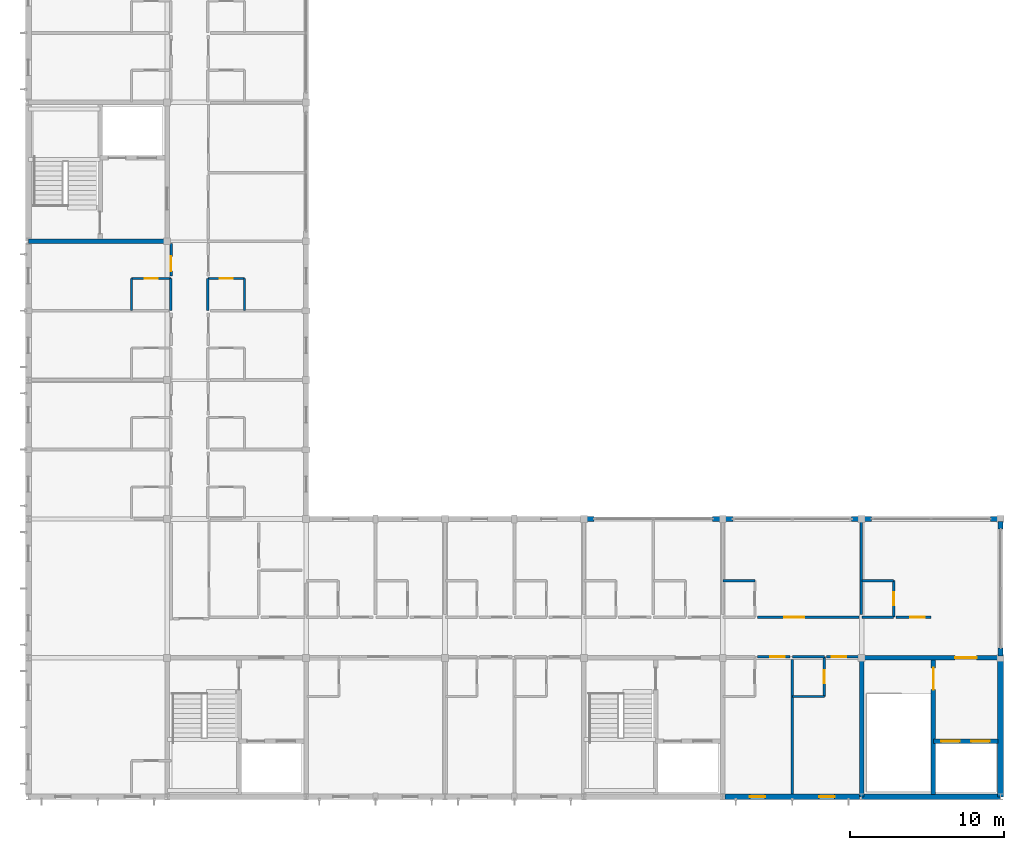
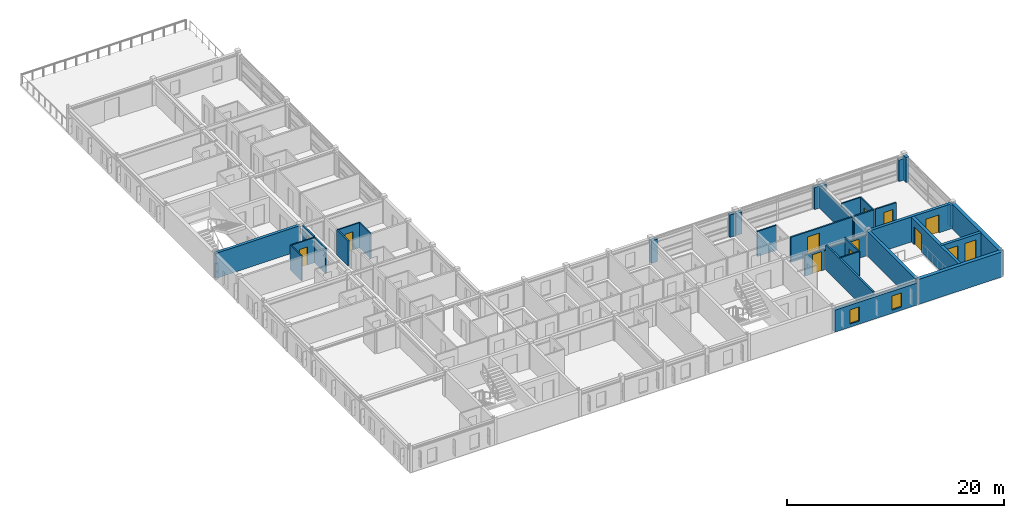
# One storey, part 12 of 20: 36 walls, 13 doors, 2 windows, 15 openings.
"""IFC4 building model written with IfcOpenShell, lengths in metres."""

from ifc_helpers import new_model, si_unit, direction, frame, frame_2d, origin, place, context, subcontext, project, spatial, rectangle, extrude, material, layer, layer_set, type_object, element, fill, save


model = new_model("IFC4")

# Units and contexts
model_context = context("Model", 3, precision=1e-05, world=origin(), true_north=direction((0.0, 1.0)))
body_context = subcontext(model_context, "Body", "Model", "MODEL_VIEW")
ifc_project = project(units=[si_unit("LENGTHUNIT", "METRE"), si_unit("AREAUNIT", "SQUARE_METRE"), si_unit("VOLUMEUNIT", "CUBIC_METRE"), si_unit("PLANEANGLEUNIT", "RADIAN"), si_unit("MASSUNIT", "GRAM", prefix="KILO")], contexts=[model_context])

# Site, building, storey
site_placement = place(None, origin())
site = spatial("IfcSite", under=ifc_project, at=site_placement, CompositionType="ELEMENT")
building_placement = place(site_placement, origin())
building = spatial("IfcBuilding", under=site, at=building_placement, Name="Palais des Congres Ocreval", CompositionType="ELEMENT")
storey_placement = place(building_placement, frame((0.0, 0.0, 20.639892578125)))
storey = spatial("IfcBuildingStorey", under=building, at=storey_placement, Name="L06", CompositionType="ELEMENT", Elevation=20.639892578125)

# Wall, opening, door
ifc_material_1 = material(Name="Moisture-resistant gypsum board")
ifc_layer_1 = layer(ifc_material_1, 0.139892578125)
ifc_layer_set_1 = layer_set([ifc_layer_1], Name="Bathroom Plumbing Chase Wall 140 Gypsum (Moisture-resistant gypsum board)")
wall_type_1 = type_object("IfcWallType", Name="Bathroom Plumbing Chase Wall 140 Gypsum", PredefinedType="PLUMBINGWALL", material=ifc_layer_set_1)
wall_1_placement = place(storey_placement, frame((51.580078125, 6.5, 0.0), z_axis=(0.0, 0.0, 1.0), x_axis=(0.0, 1.0, 0.0)))
wall_1 = element("IfcWall", 1, at=wall_1_placement, inside=storey, type_object=wall_type_1, Name="Bathroom Plumbing Wall PW03 L06", PredefinedType="PLUMBINGWALL", context=body_context, shape_type="SweptSolid", body=[
    extrude(rectangle(XDim=2.56005859375, YDim=0.139892578125, at=frame_2d((1.280029296875, 0.0))), origin(), (0.0, 0.0, 1.0), 2.820068359375),
])
opening_1_placement = place(wall_1_placement, frame((0.85498046875, 0.0, 0.0)))
opening_1 = element("IfcOpeningElement", 2, at=opening_1_placement, cuts=wall_1, Name="Opening D08", PredefinedType="OPENING", context=body_context, shape_type="SweptSolid", body=[
    extrude(rectangle(XDim=0.85009765625, YDim=2.0400390625, at=frame_2d((0.425048828125, 1.02001953125))), frame((0.0, 0.079833984375, 0.0), z_axis=(0.0, -1.0, 0.0), x_axis=(1.0, 0.0, 0.0)), (0.0, 0.0, 1.0), 0.159912109375),
])
ifc_material_2 = material(Name="Solid French oak", Category="wood")
door_type_1 = type_object("IfcDoorType", Name="En-Suite Bathroom Door 850x2040", OperationType="NOTDEFINED", PredefinedType="DOOR", material=ifc_material_2)
door_1_placement = place(opening_1_placement, origin())
door_1 = element("IfcDoor", 3, at=door_1_placement, inside=storey, type_object=door_type_1, Name="En-Suite Bathroom Door D08 L06", OperationType="SINGLE_SWING_LEFT", OverallHeight=2.0400390625, OverallWidth=0.85009765625, PredefinedType="DOOR", context=body_context, shape_type="SweptSolid", body=[
    extrude(rectangle(XDim=0.85009765625, YDim=2.0400390625, at=frame_2d((0.425048828125, 1.02001953125))), frame((0.0, 0.02490234375, 0.0), z_axis=(0.0, -1.0, 0.0), x_axis=(1.0, 0.0, 0.0)), (0.0, 0.0, 1.0), 0.050048828125),
])
fill(opening_1, door_1)

# Walls
for number, where, z_axis, x_axis, name in (
    (4, (49.52001953125, 6.5, 0.0), (0.0, 0.0, 1.0), (1.0, 0.0, 0.0), "Bathroom Plumbing Wall PW03 L06"),
    (5, (45.02001953125, 14.0, 0.0), (0.0, 0.0, 1.0), (1.0, 0.0, 0.0), "Bathroom Plumbing Wall PW03 L06"),
):
    element("IfcWall", number, at=place(storey_placement, frame(where, z_axis=z_axis, x_axis=x_axis)), inside=storey, type_object=wall_type_1, Name=name, PredefinedType="PLUMBINGWALL", context=body_context, shape_type="SweptSolid", body=[
        extrude(rectangle(XDim=2.06005859375, YDim=0.139892578125, at=frame_2d((1.030029296875, 0.0))), origin(), (0.0, 0.0, 1.0), 2.820068359375),
    ])

# Wall, opening, door
wall_2_placement = place(storey_placement, frame((56.080078125, 11.639892578125, 0.0), z_axis=(0.0, 0.0, 1.0), x_axis=(0.0, 1.0, 0.0)))
wall_2 = element("IfcWall", 6, at=wall_2_placement, inside=storey, type_object=wall_type_1, Name="Bathroom Plumbing Wall PW03 L06", PredefinedType="PLUMBINGWALL", context=body_context, shape_type="SweptSolid", body=[
    extrude(rectangle(XDim=2.360107421875, YDim=0.139892578125, at=frame_2d((1.18017578125, 0.0))), origin(), (0.0, 0.0, 1.0), 2.820068359375),
])
opening_2_placement = place(wall_2_placement, frame((0.7548828125, 0.0, 0.0)))
opening_2 = element("IfcOpeningElement", 7, at=opening_2_placement, cuts=wall_2, Name="Opening D08", PredefinedType="OPENING", context=body_context, shape_type="SweptSolid", body=[
    extrude(rectangle(XDim=0.85009765625, YDim=2.0400390625, at=frame_2d((0.425048828125, 1.02001953125))), frame((0.0, 0.079833984375, 0.0), z_axis=(0.0, -1.0, 0.0), x_axis=(1.0, 0.0, 0.0)), (0.0, 0.0, 1.0), 0.159912109375),
])
door_2_placement = place(opening_2_placement, origin())
door_2 = element("IfcDoor", 8, at=door_2_placement, inside=storey, type_object=door_type_1, Name="En-Suite Bathroom Door D08 L06", OperationType="SINGLE_SWING_LEFT", OverallHeight=2.0400390625, OverallWidth=0.85009765625, PredefinedType="DOOR", context=body_context, shape_type="SweptSolid", body=[
    extrude(rectangle(XDim=0.85009765625, YDim=2.0400390625, at=frame_2d((0.425048828125, 1.02001953125))), frame((0.0, 0.02490234375, 0.0), z_axis=(0.0, -1.0, 0.0), x_axis=(1.0, 0.0, 0.0)), (0.0, 0.0, 1.0), 0.050048828125),
])
fill(opening_2, door_2)

# Wall
wall_3_placement = place(storey_placement, frame((54.02001953125, 14.0, 0.0), z_axis=(0.0, 0.0, 1.0), x_axis=(1.0, 0.0, 0.0)))
element("IfcWall", 9, at=wall_3_placement, inside=storey, type_object=wall_type_1, Name="Bathroom Plumbing Wall PW03 L06", PredefinedType="PLUMBINGWALL", context=body_context, shape_type="SweptSolid", body=[
    extrude(rectangle(XDim=2.06005859375, YDim=0.139892578125, at=frame_2d((1.030029296875, 0.0))), origin(), (0.0, 0.0, 1.0), 2.820068359375),
])

# Wall, opening, door
wall_4_placement = place(storey_placement, frame((6.679931640625, 33.580078125, 0.0), z_axis=(0.0, 0.0, 1.0), x_axis=(1.0, 0.0, 0.0)))
wall_4 = element("IfcWall", 10, at=wall_4_placement, inside=storey, type_object=wall_type_1, Name="Bathroom Plumbing Wall PW03 L06", PredefinedType="PLUMBINGWALL", context=body_context, shape_type="SweptSolid", body=[
    extrude(rectangle(XDim=2.56005859375, YDim=0.139892578125, at=frame_2d((1.280029296875, 0.0))), origin(), (0.0, 0.0, 1.0), 2.820068359375),
])
opening_3_placement = place(wall_4_placement, frame((0.85498046875, 0.0, 0.0)))
opening_3 = element("IfcOpeningElement", 11, at=opening_3_placement, cuts=wall_4, Name="Opening D08", PredefinedType="OPENING", context=body_context, shape_type="SweptSolid", body=[
    extrude(rectangle(XDim=0.85009765625, YDim=2.0400390625, at=frame_2d((0.425048828125, 1.02001953125))), frame((0.0, 0.079833984375, 0.0), z_axis=(0.0, -1.0, 0.0), x_axis=(1.0, 0.0, 0.0)), (0.0, 0.0, 1.0), 0.159912109375),
])
door_3_placement = place(opening_3_placement, origin())
door_3 = element("IfcDoor", 12, at=door_3_placement, inside=storey, type_object=door_type_1, Name="En-Suite Bathroom Door D08 L06", OperationType="SINGLE_SWING_LEFT", OverallHeight=2.0400390625, OverallWidth=0.85009765625, PredefinedType="DOOR", context=body_context, shape_type="SweptSolid", body=[
    extrude(rectangle(XDim=0.85009765625, YDim=2.0400390625, at=frame_2d((0.425048828125, 1.02001953125))), frame((0.0, 0.02490234375, 0.0), z_axis=(0.0, -1.0, 0.0), x_axis=(1.0, 0.0, 0.0)), (0.0, 0.0, 1.0), 0.050048828125),
])
fill(opening_3, door_3)

# Wall
wall_5_placement = place(storey_placement, frame((6.679931640625, 31.52001953125, 0.0), z_axis=(0.0, 0.0, 1.0), x_axis=(0.0, 1.0, 0.0)))
element("IfcWall", 13, at=wall_5_placement, inside=storey, type_object=wall_type_1, Name="Bathroom Plumbing Wall PW03 L06", PredefinedType="PLUMBINGWALL", context=body_context, shape_type="SweptSolid", body=[
    extrude(rectangle(XDim=2.06005859375, YDim=0.139892578125, at=frame_2d((1.030029296875, 0.0))), origin(), (0.0, 0.0, 1.0), 2.820068359375),
])

# Wall, opening, door
wall_6_placement = place(storey_placement, frame((11.639892578125, 33.580078125, 0.0), z_axis=(0.0, 0.0, 1.0), x_axis=(1.0, 0.0, 0.0)))
wall_6 = element("IfcWall", 14, at=wall_6_placement, inside=storey, type_object=wall_type_1, Name="Bathroom Plumbing Wall PW03 L06", PredefinedType="PLUMBINGWALL", context=body_context, shape_type="SweptSolid", body=[
    extrude(rectangle(XDim=2.360107421875, YDim=0.139892578125, at=frame_2d((1.18017578125, 0.0))), origin(), (0.0, 0.0, 1.0), 2.820068359375),
])
opening_4_placement = place(wall_6_placement, frame((0.7548828125, 0.0, 0.0)))
opening_4 = element("IfcOpeningElement", 15, at=opening_4_placement, cuts=wall_6, Name="Opening D08", PredefinedType="OPENING", context=body_context, shape_type="SweptSolid", body=[
    extrude(rectangle(XDim=0.85009765625, YDim=2.0400390625, at=frame_2d((0.425048828125, 1.02001953125))), frame((0.0, 0.079833984375, 0.0), z_axis=(0.0, -1.0, 0.0), x_axis=(1.0, 0.0, 0.0)), (0.0, 0.0, 1.0), 0.159912109375),
])
door_4_placement = place(opening_4_placement, origin())
door_4 = element("IfcDoor", 16, at=door_4_placement, inside=storey, type_object=door_type_1, Name="En-Suite Bathroom Door D08 L06", OperationType="SINGLE_SWING_LEFT", OverallHeight=2.0400390625, OverallWidth=0.85009765625, PredefinedType="DOOR", context=body_context, shape_type="SweptSolid", body=[
    extrude(rectangle(XDim=0.85009765625, YDim=2.0400390625, at=frame_2d((0.425048828125, 1.02001953125))), frame((0.0, 0.02490234375, 0.0), z_axis=(0.0, -1.0, 0.0), x_axis=(1.0, 0.0, 0.0)), (0.0, 0.0, 1.0), 0.050048828125),
])
fill(opening_4, door_4)

# Walls
wall_7_placement = place(storey_placement, frame((14.0, 31.52001953125, 0.0), z_axis=(0.0, 0.0, 1.0), x_axis=(0.0, 1.0, 0.0)))
element("IfcWall", 17, at=wall_7_placement, inside=storey, type_object=wall_type_1, Name="Bathroom Plumbing Wall PW03 L06", PredefinedType="PLUMBINGWALL", context=body_context, shape_type="SweptSolid", body=[
    extrude(rectangle(XDim=2.06005859375, YDim=0.139892578125, at=frame_2d((1.030029296875, 0.0))), origin(), (0.0, 0.0, 1.0), 2.820068359375),
])
ifc_material_3 = material(Name="Concrete C40/50", Category="concrete")
ifc_layer_2 = layer(ifc_material_3, 0.300048828125)
ifc_layer_set_2 = layer_set([ifc_layer_2], Name="Core Shear Wall 300 Concrete C40/50")
wall_type_2 = type_object("IfcWallType", Name="Core Shear Wall 300 Concrete C40/50", PredefinedType="SHEAR", material=ifc_layer_set_2)
wall_8_placement = place(storey_placement, frame((0.0, 36.0, 0.0), z_axis=(0.0, 0.0, 1.0), x_axis=(1.0, 0.0, 0.0)))
element("IfcWall", 18, at=wall_8_placement, inside=storey, type_object=wall_type_2, Name="Core Shear Wall SC03 L06 S", PredefinedType="SHEAR", context=body_context, shape_type="SweptSolid", body=[
    extrude(rectangle(XDim=9.0, YDim=0.300048828125, at=frame_2d((4.5, 0.0))), origin(), (0.0, 0.0, 1.0), 2.820068359375),
])

# Wall, opening, door
wall_9_placement = place(storey_placement, frame((54.0, 9.0, 0.0), z_axis=(0.0, 0.0, 1.0), x_axis=(1.0, 0.0, 0.0)))
wall_9 = element("IfcWall", 19, at=wall_9_placement, inside=storey, type_object=wall_type_2, Name="Core Shear Wall SC04 L06 N", PredefinedType="SHEAR", context=body_context, shape_type="SweptSolid", body=[
    extrude(rectangle(XDim=9.0, YDim=0.300048828125, at=frame_2d((4.5, 0.0))), origin(), (0.0, 0.0, 1.0), 2.820068359375),
])
opening_5_placement = place(wall_9_placement, frame((6.050048828125, 0.0, 0.0)))
opening_5 = element("IfcOpeningElement", 20, at=opening_5_placement, cuts=wall_9, Name="Opening D03", PredefinedType="OPENING", context=body_context, shape_type="SweptSolid", body=[
    extrude(rectangle(XDim=1.39990234375, YDim=2.02001953125, at=frame_2d((0.699951171875, 1.010009765625))), frame((0.0, 0.159912109375, 0.0), z_axis=(0.0, -1.0, 0.0), x_axis=(1.0, 0.0, 0.0)), (0.0, 0.0, 1.0), 0.320068359375),
])
ifc_material_4 = material(Name="Painted fire-rated steel", Category="steel")
door_type_2 = type_object("IfcDoorType", Name="Core Lobby Rated Door 1400x2020", OperationType="NOTDEFINED", PredefinedType="DOOR", material=ifc_material_4)
door_5_placement = place(opening_5_placement, origin())
door_5 = element("IfcDoor", 21, at=door_5_placement, inside=storey, type_object=door_type_2, Name="Lobby Entrance Door SC04 L06", OperationType="DOUBLE_DOOR_SINGLE_SWING", OverallHeight=2.02001953125, OverallWidth=1.39990234375, PredefinedType="DOOR", context=body_context, shape_type="SweptSolid", body=[
    extrude(rectangle(XDim=1.39990234375, YDim=2.02001953125, at=frame_2d((0.699951171875, 1.010009765625))), frame((0.0, 0.02490234375, 0.0), z_axis=(0.0, -1.0, 0.0), x_axis=(1.0, 0.0, 0.0)), (0.0, 0.0, 1.0), 0.050048828125),
])
fill(opening_5, door_5)

# Wall
wall_10_placement = place(storey_placement, frame((54.0, 0.0, 0.0), z_axis=(0.0, 0.0, 1.0), x_axis=(0.0, 1.0, 0.0)))
element("IfcWall", 22, at=wall_10_placement, inside=storey, type_object=wall_type_2, Name="Core Shear Wall SC04 L06 W", PredefinedType="SHEAR", context=body_context, shape_type="SweptSolid", body=[
    extrude(rectangle(XDim=9.0, YDim=0.300048828125, at=frame_2d((4.5, 0.0))), origin(), (0.0, 0.0, 1.0), 2.820068359375),
])

# Wall, opening, door
wall_11_placement = place(storey_placement, frame((58.64990234375, 0.14990234375, 0.0), z_axis=(0.0, 0.0, 1.0), x_axis=(0.0, 1.0, 0.0)))
wall_11 = element("IfcWall", 23, at=wall_11_placement, inside=storey, type_object=wall_type_2, Name="Core Spine Shear Wall SC04 L06", PredefinedType="SHEAR", context=body_context, shape_type="SweptSolid", body=[
    extrude(rectangle(XDim=8.7001953125, YDim=0.300048828125, at=frame_2d((4.35009765625, 0.0))), origin(), (0.0, 0.0, 1.0), 2.820068359375),
])
opening_6_placement = place(wall_11_placement, frame((6.800048828125, 0.0, 0.0)))
opening_6 = element("IfcOpeningElement", 24, at=opening_6_placement, cuts=wall_11, Name="Opening D03", PredefinedType="OPENING", context=body_context, shape_type="SweptSolid", body=[
    extrude(rectangle(XDim=1.39990234375, YDim=2.02001953125, at=frame_2d((0.699951171875, 1.010009765625))), frame((0.0, 0.159912109375, 0.0), z_axis=(0.0, -1.0, 0.0), x_axis=(1.0, 0.0, 0.0)), (0.0, 0.0, 1.0), 0.320068359375),
])
door_6_placement = place(opening_6_placement, origin())
door_6 = element("IfcDoor", 25, at=door_6_placement, inside=storey, type_object=door_type_2, Name="Protected Exit Stair Door ST04 L06", OperationType="SINGLE_SWING_RIGHT", OverallHeight=2.02001953125, OverallWidth=1.39990234375, PredefinedType="DOOR", context=body_context, shape_type="SweptSolid", body=[
    extrude(rectangle(XDim=1.39990234375, YDim=2.02001953125, at=frame_2d((0.699951171875, 1.010009765625))), frame((0.0, 0.02490234375, 0.0), z_axis=(0.0, -1.0, 0.0), x_axis=(1.0, 0.0, 0.0)), (0.0, 0.0, 1.0), 0.050048828125),
])
fill(opening_6, door_6)

# Wall, openings, doors
wall_12_placement = place(storey_placement, frame((58.64990234375, 3.60009765625, 0.0), z_axis=(0.0, 0.0, 1.0), x_axis=(1.0, 0.0, 0.0)))
wall_12 = element("IfcWall", 26, at=wall_12_placement, inside=storey, type_object=wall_type_2, Name="Lift Shaft Front Wall SC04 L06", PredefinedType="SHEAR", context=body_context, shape_type="SweptSolid", body=[
    extrude(rectangle(XDim=4.2001953125, YDim=0.300048828125, at=frame_2d((2.10009765625, 0.0))), origin(), (0.0, 0.0, 1.0), 2.820068359375),
])
opening_7_placement = place(wall_12_placement, frame((0.5, 0.0, 0.0)))
opening_7 = element("IfcOpeningElement", 27, at=opening_7_placement, cuts=wall_12, Name="Opening LD02", PredefinedType="OPENING", context=body_context, shape_type="SweptSolid", body=[
    extrude(rectangle(XDim=1.199951171875, YDim=2.199951171875, at=frame_2d((0.60009765625, 1.10009765625))), frame((0.0, 0.159912109375, 0.0), z_axis=(0.0, -1.0, 0.0), x_axis=(1.0, 0.0, 0.0)), (0.0, 0.0, 1.0), 0.320068359375),
])
opening_8_placement = place(wall_12_placement, frame((2.449951171875, 0.0, 0.0)))
opening_8 = element("IfcOpeningElement", 28, at=opening_8_placement, cuts=wall_12, Name="Opening LD02", PredefinedType="OPENING", context=body_context, shape_type="SweptSolid", body=[
    extrude(rectangle(XDim=1.199951171875, YDim=2.199951171875, at=frame_2d((0.60009765625, 1.10009765625))), frame((0.0, 0.159912109375, 0.0), z_axis=(0.0, -1.0, 0.0), x_axis=(1.0, 0.0, 0.0)), (0.0, 0.0, 1.0), 0.320068359375),
])
ifc_material_5 = material(Name="Anodized bronze steel", Category="steel")
door_type_3 = type_object("IfcDoorType", Name="Passenger and Service Lift Sliding Door 1200x2200", OperationType="NOTDEFINED", PredefinedType="DOOR", material=ifc_material_5)
door_7_placement = place(opening_7_placement, origin())
door_7 = element("IfcDoor", 29, at=door_7_placement, inside=storey, type_object=door_type_3, Name="Lift Landing Sliding Door PL4 L06", OperationType="DOUBLE_DOOR_SLIDING", OverallHeight=2.199951171875, OverallWidth=1.199951171875, PredefinedType="DOOR", context=body_context, shape_type="SweptSolid", body=[
    extrude(rectangle(XDim=1.199951171875, YDim=2.199951171875, at=frame_2d((0.60009765625, 1.10009765625))), frame((0.0, 0.02490234375, 0.0), z_axis=(0.0, -1.0, 0.0), x_axis=(1.0, 0.0, 0.0)), (0.0, 0.0, 1.0), 0.050048828125),
])
fill(opening_7, door_7)
door_8_placement = place(opening_8_placement, origin())
door_8 = element("IfcDoor", 30, at=door_8_placement, inside=storey, type_object=door_type_3, Name="Lift Landing Sliding Door BL1 L06", OperationType="DOUBLE_DOOR_SLIDING", OverallHeight=2.199951171875, OverallWidth=1.199951171875, PredefinedType="DOOR", context=body_context, shape_type="SweptSolid", body=[
    extrude(rectangle(XDim=1.199951171875, YDim=2.199951171875, at=frame_2d((0.60009765625, 1.10009765625))), frame((0.0, 0.02490234375, 0.0), z_axis=(0.0, -1.0, 0.0), x_axis=(1.0, 0.0, 0.0)), (0.0, 0.0, 1.0), 0.050048828125),
])
fill(opening_8, door_8)

# Walls
ifc_material_6 = material(Name="Gypsum acoustic partition")
ifc_layer_3 = layer(ifc_material_6, 0.159912109375)
ifc_layer_set_3 = layer_set([ifc_layer_3], Name="Corridor Fire Partition 160 Gypsum (Gypsum acoustic partition)")
wall_type_3 = type_object("IfcWallType", Name="Corridor Fire Partition 160 Gypsum", PredefinedType="PARTITIONING", material=ifc_layer_set_3)
wall_13_placement = place(storey_placement, frame((49.52001953125, 9.06005859375, 0.0), z_axis=(0.0, 0.0, 1.0), x_axis=(1.0, 0.0, 0.0)))
element("IfcWall", 31, at=wall_13_placement, inside=storey, type_object=wall_type_3, Name="Corridor Partition IW03 L06", PredefinedType="PARTITIONING", context=body_context, shape_type="SweptSolid", body=[
    extrude(rectangle(XDim=2.06005859375, YDim=0.159912109375, at=frame_2d((1.030029296875, 0.0))), origin(), (0.0, 0.0, 1.0), 2.330078125),
])
for number, where, z_axis, x_axis, name in (
    (32, (54.02001953125, 11.639892578125, 0.0), (0.0, 0.0, 1.0), (1.0, 0.0, 0.0), "Corridor Partition IW03 L06"),
    (33, (9.239990234375, 31.52001953125, 0.0), (0.0, 0.0, 1.0), (0.0, 1.0, 0.0), "Corridor Partition IW03 L06"),
    (34, (11.639892578125, 31.52001953125, 0.0), (0.0, 0.0, 1.0), (0.0, 1.0, 0.0), "Corridor Partition IW03 L06"),
):
    element("IfcWall", number, at=place(storey_placement, frame(where, z_axis=z_axis, x_axis=x_axis)), inside=storey, type_object=wall_type_3, Name=name, PredefinedType="PARTITIONING", context=body_context, shape_type="SweptSolid", body=[
        extrude(rectangle(XDim=2.06005859375, YDim=0.159912109375, at=frame_2d((1.030029296875, 0.0))), origin(), (0.0, 0.0, 1.0), 2.820068359375),
    ])

# Wall, opening, door
wall_14_placement = place(storey_placement, frame((47.235107421875, 9.06494140625, 0.0), z_axis=(0.0, 0.0, 1.0), x_axis=(1.0, 0.0, 0.0)))
wall_14 = element("IfcWall", 35, at=wall_14_placement, inside=storey, type_object=wall_type_3, Name="Interior Partition IW03 L06", PredefinedType="PARTITIONING", context=body_context, shape_type="SweptSolid", body=[
    extrude(rectangle(XDim=2.10986328125, YDim=0.159912109375, at=frame_2d((1.054931640625, 0.0))), origin(), (0.0, 0.0, 1.0), 2.330078125),
])
opening_9_placement = place(wall_14_placement, frame((0.833251953125, 0.0, 0.0)))
opening_9 = element("IfcOpeningElement", 36, at=opening_9_placement, cuts=wall_14, Name="Opening D05", PredefinedType="OPENING", context=body_context, shape_type="SweptSolid", body=[
    extrude(rectangle(XDim=0.949951171875, YDim=2.14990234375, at=frame_2d((0.47509765625, 1.074951171875))), frame((0.0, 0.08984375, 0.0), z_axis=(0.0, -1.0, 0.0), x_axis=(1.0, 0.0, 0.0)), (0.0, 0.0, 1.0), 0.179931640625),
])
door_type_4 = type_object("IfcDoorType", Name="Hotel Guestroom Entrance Door 950x2150", OperationType="NOTDEFINED", PredefinedType="DOOR", material=ifc_material_2)
door_9_placement = place(opening_9_placement, origin())
door_9 = element("IfcDoor", 37, at=door_9_placement, inside=storey, type_object=door_type_4, Name="Interior Door D05 L06", OperationType="SINGLE_SWING_LEFT", OverallHeight=2.14990234375, OverallWidth=0.949951171875, PredefinedType="DOOR", context=body_context, shape_type="SweptSolid", body=[
    extrude(rectangle(XDim=0.949951171875, YDim=2.14990234375, at=frame_2d((0.47509765625, 1.074951171875))), frame((0.0, 0.02490234375, 0.0), z_axis=(0.0, -1.0, 0.0), x_axis=(1.0, 0.0, 0.0)), (0.0, 0.0, 1.0), 0.050048828125),
])
fill(opening_9, door_9)

wall_15_placement = place(storey_placement, frame((51.735107421875, 9.06494140625, 0.0), z_axis=(0.0, 0.0, 1.0), x_axis=(1.0, 0.0, 0.0)))
wall_15 = element("IfcWall", 38, at=wall_15_placement, inside=storey, type_object=wall_type_3, Name="Interior Partition IW03 L06", PredefinedType="PARTITIONING", context=body_context, shape_type="SweptSolid", body=[
    extrude(rectangle(XDim=2.10986328125, YDim=0.159912109375, at=frame_2d((1.054931640625, 0.0))), origin(), (0.0, 0.0, 1.0), 2.330078125),
])
opening_10_placement = place(wall_15_placement, frame((0.326904296875, 0.0, 0.0)))
opening_10 = element("IfcOpeningElement", 39, at=opening_10_placement, cuts=wall_15, Name="Opening D05", PredefinedType="OPENING", context=body_context, shape_type="SweptSolid", body=[
    extrude(rectangle(XDim=0.949951171875, YDim=2.14990234375, at=frame_2d((0.47509765625, 1.074951171875))), frame((0.0, 0.08984375, 0.0), z_axis=(0.0, -1.0, 0.0), x_axis=(1.0, 0.0, 0.0)), (0.0, 0.0, 1.0), 0.179931640625),
])
door_10_placement = place(opening_10_placement, origin())
door_10 = element("IfcDoor", 40, at=door_10_placement, inside=storey, type_object=door_type_4, Name="Interior Door D05 L06", OperationType="SINGLE_SWING_RIGHT", OverallHeight=2.14990234375, OverallWidth=0.949951171875, PredefinedType="DOOR", context=body_context, shape_type="SweptSolid", body=[
    extrude(rectangle(XDim=0.949951171875, YDim=2.14990234375, at=frame_2d((0.47509765625, 1.074951171875))), frame((0.0, 0.02490234375, 0.0), z_axis=(0.0, -1.0, 0.0), x_axis=(1.0, 0.0, 0.0)), (0.0, 0.0, 1.0), 0.050048828125),
])
fill(opening_10, door_10)

wall_16_placement = place(storey_placement, frame((47.235107421875, 11.635009765625, 0.0), z_axis=(0.0, 0.0, 1.0), x_axis=(1.0, 0.0, 0.0)))
wall_16 = element("IfcWall", 41, at=wall_16_placement, inside=storey, type_object=wall_type_3, Name="Interior Partition IW03 L06", PredefinedType="PARTITIONING", context=body_context, shape_type="SweptSolid", body=[
    extrude(rectangle(XDim=6.5849609375, YDim=0.159912109375, at=frame_2d((3.29248046875, 0.0))), origin(), (0.0, 0.0, 1.0), 2.820068359375),
])
opening_11_placement = place(wall_16_placement, frame((1.75, 0.0, 0.0)))
opening_11 = element("IfcOpeningElement", 42, at=opening_11_placement, cuts=wall_16, Name="Opening D07", PredefinedType="OPENING", context=body_context, shape_type="SweptSolid", body=[
    extrude(rectangle(XDim=1.300048828125, YDim=2.25, at=frame_2d((0.64990234375, 1.125))), frame((0.0, 0.08984375, 0.0), z_axis=(0.0, -1.0, 0.0), x_axis=(1.0, 0.0, 0.0)), (0.0, 0.0, 1.0), 0.179931640625),
])
door_type_5 = type_object("IfcDoorType", Name="Luxury Suite Double Door 1300x2250", OperationType="NOTDEFINED", PredefinedType="DOOR", material=ifc_material_2)
door_11_placement = place(opening_11_placement, origin())
door_11 = element("IfcDoor", 43, at=door_11_placement, inside=storey, type_object=door_type_5, Name="Interior Door D07 L06", OperationType="DOUBLE_DOOR_SINGLE_SWING", OverallHeight=2.25, OverallWidth=1.300048828125, PredefinedType="DOOR", context=body_context, shape_type="SweptSolid", body=[
    extrude(rectangle(XDim=1.300048828125, YDim=2.25, at=frame_2d((0.64990234375, 1.125))), frame((0.0, 0.02490234375, 0.0), z_axis=(0.0, -1.0, 0.0), x_axis=(1.0, 0.0, 0.0)), (0.0, 0.0, 1.0), 0.050048828125),
])
fill(opening_11, door_11)

wall_17_placement = place(storey_placement, frame((56.235107421875, 11.635009765625, 0.0), z_axis=(0.0, 0.0, 1.0), x_axis=(1.0, 0.0, 0.0)))
wall_17 = element("IfcWall", 44, at=wall_17_placement, inside=storey, type_object=wall_type_3, Name="Interior Partition IW03 L06", PredefinedType="PARTITIONING", context=body_context, shape_type="SweptSolid", body=[
    extrude(rectangle(XDim=2.244873046875, YDim=0.159912109375, at=frame_2d((1.12255859375, 0.0))), origin(), (0.0, 0.0, 1.0), 2.820068359375),
])
opening_12_placement = place(wall_17_placement, frame((0.9169921875, 0.0, 0.0)))
opening_12 = element("IfcOpeningElement", 45, at=opening_12_placement, cuts=wall_17, Name="Opening D05", PredefinedType="OPENING", context=body_context, shape_type="SweptSolid", body=[
    extrude(rectangle(XDim=0.949951171875, YDim=2.14990234375, at=frame_2d((0.47509765625, 1.074951171875))), frame((0.0, 0.08984375, 0.0), z_axis=(0.0, -1.0, 0.0), x_axis=(1.0, 0.0, 0.0)), (0.0, 0.0, 1.0), 0.179931640625),
])
door_12_placement = place(opening_12_placement, origin())
door_12 = element("IfcDoor", 46, at=door_12_placement, inside=storey, type_object=door_type_4, Name="Interior Door D05 L06", OperationType="SINGLE_SWING_RIGHT", OverallHeight=2.14990234375, OverallWidth=0.949951171875, PredefinedType="DOOR", context=body_context, shape_type="SweptSolid", body=[
    extrude(rectangle(XDim=0.949951171875, YDim=2.14990234375, at=frame_2d((0.47509765625, 1.074951171875))), frame((0.0, 0.02490234375, 0.0), z_axis=(0.0, -1.0, 0.0), x_axis=(1.0, 0.0, 0.0)), (0.0, 0.0, 1.0), 0.050048828125),
])
fill(opening_12, door_12)

wall_18_placement = place(storey_placement, frame((9.25, 33.735107421875, 0.0), z_axis=(0.0, 0.0, 1.0), x_axis=(0.0, 1.0, 0.0)))
wall_18 = element("IfcWall", 47, at=wall_18_placement, inside=storey, type_object=wall_type_3, Name="Interior Partition IW03 L06", PredefinedType="PARTITIONING", context=body_context, shape_type="SweptSolid", body=[
    extrude(rectangle(XDim=2.10986328125, YDim=0.159912109375, at=frame_2d((1.054931640625, 0.0))), origin(), (0.0, 0.0, 1.0), 2.820068359375),
])
opening_13_placement = place(wall_18_placement, frame((0.326904296875, 0.0, 0.0)))
opening_13 = element("IfcOpeningElement", 48, at=opening_13_placement, cuts=wall_18, Name="Opening D05", PredefinedType="OPENING", context=body_context, shape_type="SweptSolid", body=[
    extrude(rectangle(XDim=0.949951171875, YDim=2.14990234375, at=frame_2d((0.47509765625, 1.074951171875))), frame((0.0, 0.08984375, 0.0), z_axis=(0.0, -1.0, 0.0), x_axis=(1.0, 0.0, 0.0)), (0.0, 0.0, 1.0), 0.179931640625),
])
door_13_placement = place(opening_13_placement, origin())
door_13 = element("IfcDoor", 49, at=door_13_placement, inside=storey, type_object=door_type_4, Name="Interior Door D05 L06", OperationType="SINGLE_SWING_LEFT", OverallHeight=2.14990234375, OverallWidth=0.949951171875, PredefinedType="DOOR", context=body_context, shape_type="SweptSolid", body=[
    extrude(rectangle(XDim=0.949951171875, YDim=2.14990234375, at=frame_2d((0.47509765625, 1.074951171875))), frame((0.0, 0.02490234375, 0.0), z_axis=(0.0, -1.0, 0.0), x_axis=(1.0, 0.0, 0.0)), (0.0, 0.0, 1.0), 0.050048828125),
])
fill(opening_13, door_13)

# Walls
ifc_layer_4 = layer(ifc_material_6, 0.179931640625)
ifc_layer_set_4 = layer_set([ifc_layer_4], Name="Hotel Inter-Room Acoustic Partition 180 Gypsum (Gypsum acoustic partition)")
wall_type_4 = type_object("IfcWallType", Name="Hotel Inter-Room Acoustic Partition 180 Gypsum", PredefinedType="PARTITIONING", material=ifc_layer_set_4)
wall_19_placement = place(storey_placement, frame((49.5, 0.195068359375, 0.0), z_axis=(0.0, 0.0, 1.0), x_axis=(0.0, 1.0, 0.0)))
element("IfcWall", 50, at=wall_19_placement, inside=storey, type_object=wall_type_4, Name="Hotel Party Partition IW02 L06", PredefinedType="PARTITIONING", context=body_context, shape_type="SweptSolid", body=[
    extrude(rectangle(XDim=8.7099609375, YDim=0.179931640625, at=frame_2d((4.35498046875, 0.0))), origin(), (0.0, 0.0, 1.0), 2.820068359375),
])
wall_20_placement = place(storey_placement, frame((53.97509765625, 11.794921875, 0.0), z_axis=(0.0, 0.0, 1.0), x_axis=(0.0, 1.0, 0.0)))
element("IfcWall", 51, at=wall_20_placement, inside=storey, type_object=wall_type_4, Name="Hotel Party Partition IW02 L06", PredefinedType="PARTITIONING", context=body_context, shape_type="SweptSolid", body=[
    extrude(rectangle(XDim=6.030029296875, YDim=0.179931640625, at=frame_2d((3.01513671875, 0.0))), origin(), (0.0, 0.0, 1.0), 2.420166015625),
])
ifc_layer_5 = layer(ifc_material_3, 0.3798828125)
ifc_layer_set_5 = layer_set([ifc_layer_5], Name="Lutetian Limestone Street Wall 380 Concrete C40/50")
wall_type_5 = type_object("IfcWallType", Name="Lutetian Limestone Street Wall 380 Concrete C40/50", PredefinedType="SOLIDWALL", material=ifc_layer_set_5)
for number, where, z_axis, x_axis, name in (
    (52, (63.0, 9.0, 0.0), (0.0, 0.0, 1.0), (0.0, -1.0, 0.0), "Core Perimeter Shear Wall EW03 SC04 L06"),
    (53, (63.0, 0.0, 0.0), (0.0, 0.0, 1.0), (-1.0, 0.0, 0.0), "Core Perimeter Shear Wall EW03 SC04 L06"),
):
    element("IfcWall", number, at=place(storey_placement, frame(where, z_axis=z_axis, x_axis=x_axis)), inside=storey, type_object=wall_type_5, Name=name, PredefinedType="SOLIDWALL", context=body_context, shape_type="SweptSolid", body=[
        extrude(rectangle(XDim=9.0, YDim=0.3798828125, at=frame_2d((4.5, 0.0))), origin(), (0.0, 0.0, 1.0), 2.820068359375),
    ])

# Wall, openings, windows
wall_21_placement = place(storey_placement, frame((53.8701171875, 0.0, 0.0), z_axis=(0.0, 0.0, 1.0), x_axis=(-1.0, 0.0, 0.0)))
wall_21 = element("IfcWall", 54, at=wall_21_placement, inside=storey, type_object=wall_type_5, Name="Exterior Wall EW03 L06", PredefinedType="SOLIDWALL", context=body_context, shape_type="SweptSolid", body=[
    extrude(rectangle(XDim=8.740234375, YDim=0.3798828125, at=frame_2d((4.3701171875, 0.0))), origin(), (0.0, 0.0, 1.0), 2.480224609375),
])
opening_14_placement = place(wall_21_placement, frame((1.6201171875, 0.0, 0.35009765625)))
opening_14 = element("IfcOpeningElement", 55, at=opening_14_placement, cuts=wall_21, Name="Opening WN18", PredefinedType="OPENING", context=body_context, shape_type="SweptSolid", body=[
    extrude(rectangle(XDim=1.0, YDim=1.60009765625, at=frame_2d((0.5, 0.800048828125))), frame((0.0, 0.199951171875, 0.0), z_axis=(0.0, -1.0, 0.0), x_axis=(1.0, 0.0, 0.0)), (0.0, 0.0, 1.0), 0.39990234375),
])
opening_15_placement = place(wall_21_placement, frame((6.1201171875, 0.0, 0.35009765625)))
opening_15 = element("IfcOpeningElement", 56, at=opening_15_placement, cuts=wall_21, Name="Opening WN18", PredefinedType="OPENING", context=body_context, shape_type="SweptSolid", body=[
    extrude(rectangle(XDim=1.0, YDim=1.60009765625, at=frame_2d((0.5, 0.800048828125))), frame((0.0, 0.199951171875, 0.0), z_axis=(0.0, -1.0, 0.0), x_axis=(1.0, 0.0, 0.0)), (0.0, 0.0, 1.0), 0.39990234375),
])
ifc_material_7 = material(Name="Anodized bronze aluminium and low-E glass", Category="glass")
window_type = type_object("IfcWindowType", Name="Stair and Lobby Daylight Window 1000x1600", PartitioningType="SINGLE_PANEL", PredefinedType="WINDOW", material=ifc_material_7)
window_1_placement = place(opening_14_placement, origin())
window_1 = element("IfcWindow", 57, at=window_1_placement, inside=storey, type_object=window_type, Name="Hotel Facade Window WN18", OverallHeight=1.60009765625, OverallWidth=1.0, PartitioningType="SINGLE_PANEL", PredefinedType="WINDOW", context=body_context, shape_type="SweptSolid", body=[
    extrude(rectangle(XDim=1.0, YDim=1.60009765625, at=frame_2d((0.5, 0.800048828125))), frame((0.0, 0.030029296875, 0.0), z_axis=(0.0, -1.0, 0.0), x_axis=(1.0, 0.0, 0.0)), (0.0, 0.0, 1.0), 0.06005859375),
])
fill(opening_14, window_1)
window_2_placement = place(opening_15_placement, origin())
window_2 = element("IfcWindow", 58, at=window_2_placement, inside=storey, type_object=window_type, Name="Hotel Facade Window WN18", OverallHeight=1.60009765625, OverallWidth=1.0, PartitioningType="SINGLE_PANEL", PredefinedType="WINDOW", context=body_context, shape_type="SweptSolid", body=[
    extrude(rectangle(XDim=1.0, YDim=1.60009765625, at=frame_2d((0.5, 0.800048828125))), frame((0.0, 0.030029296875, 0.0), z_axis=(0.0, -1.0, 0.0), x_axis=(1.0, 0.0, 0.0)), (0.0, 0.0, 1.0), 0.06005859375),
])
fill(opening_15, window_2)

# Walls
ifc_layer_6 = layer(ifc_material_3, 0.340087890625)
ifc_layer_set_6 = layer_set([ifc_layer_6], Name="Ochre Mineral-Lime Courtyard Wall 340 Concrete C40/50")
wall_type_6 = type_object("IfcWallType", Name="Ochre Mineral-Lime Courtyard Wall 340 Concrete C40/50", PredefinedType="SOLIDWALL", material=ifc_layer_set_6)
wall_22_placement = place(storey_placement, frame((63.0, 17.844970703125, 0.0), z_axis=(0.0, 0.0, 1.0), x_axis=(0.0, -1.0, 0.0)))
element("IfcWall", 59, at=wall_22_placement, inside=storey, type_object=wall_type_6, Name="Facade Pier EW04 L06", PredefinedType="SOLIDWALL", context=body_context, shape_type="SweptSolid", body=[
    extrude(rectangle(XDim=0.494873046875, YDim=0.340087890625, at=frame_2d((0.24755859375, 0.0))), origin(), (0.0, 0.0, 1.0), 2.820068359375),
])
wall_23_placement = place(storey_placement, frame((63.0, 9.64990234375, 0.0), z_axis=(0.0, 0.0, 1.0), x_axis=(0.0, -1.0, 0.0)))
element("IfcWall", 60, at=wall_23_placement, inside=storey, type_object=wall_type_6, Name="Facade Pier EW04 L06", PredefinedType="SOLIDWALL", context=body_context, shape_type="SweptSolid", body=[
    extrude(rectangle(XDim=0.52001953125, YDim=0.340087890625, at=frame_2d((0.260009765625, 0.0))), origin(), (0.0, 0.0, 1.0), 2.39013671875),
])
for number, where, z_axis, x_axis, name in (
    (61, (36.0, 18.0, 0.0), (0.0, 0.0, 1.0), (1.0, 0.0, 0.0), "Facade Pier EW04 L06"),
    (62, (44.35009765625, 18.0, 0.0), (0.0, 0.0, 1.0), (1.0, 0.0, 0.0), "Facade Pier EW04 L06"),
):
    element("IfcWall", number, at=place(storey_placement, frame(where, z_axis=z_axis, x_axis=x_axis)), inside=storey, type_object=wall_type_6, Name=name, PredefinedType="SOLIDWALL", context=body_context, shape_type="SweptSolid", body=[
        extrude(rectangle(XDim=0.64990234375, YDim=0.340087890625, at=frame_2d((0.324951171875, 0.0))), origin(), (0.0, 0.0, 1.0), 2.550048828125),
    ])
for number, where, z_axis, x_axis, name in (
    (63, (45.0, 18.0, 0.0), (0.0, 0.0, 1.0), (1.0, 0.0, 0.0), "Facade Pier EW04 L06"),
    (64, (53.35009765625, 18.0, 0.0), (0.0, 0.0, 1.0), (1.0, 0.0, 0.0), "Facade Pier EW04 L06"),
):
    element("IfcWall", number, at=place(storey_placement, frame(where, z_axis=z_axis, x_axis=x_axis)), inside=storey, type_object=wall_type_6, Name=name, PredefinedType="SOLIDWALL", context=body_context, shape_type="SweptSolid", body=[
        extrude(rectangle(XDim=0.64990234375, YDim=0.340087890625, at=frame_2d((0.324951171875, 0.0))), origin(), (0.0, 0.0, 1.0), 2.480224609375),
    ])
for number, where, z_axis, x_axis, name in (
    (65, (54.0, 18.0, 0.0), (0.0, 0.0, 1.0), (1.0, 0.0, 0.0), "Facade Pier EW04 L06"),
    (66, (62.35009765625, 18.0, 0.0), (0.0, 0.0, 1.0), (1.0, 0.0, 0.0), "Facade Pier EW04 L06"),
):
    element("IfcWall", number, at=place(storey_placement, frame(where, z_axis=z_axis, x_axis=x_axis)), inside=storey, type_object=wall_type_6, Name=name, PredefinedType="SOLIDWALL", context=body_context, shape_type="SweptSolid", body=[
        extrude(rectangle(XDim=0.64990234375, YDim=0.340087890625, at=frame_2d((0.324951171875, 0.0))), origin(), (0.0, 0.0, 1.0), 2.420166015625),
    ])

save(model, "model.ifc")
